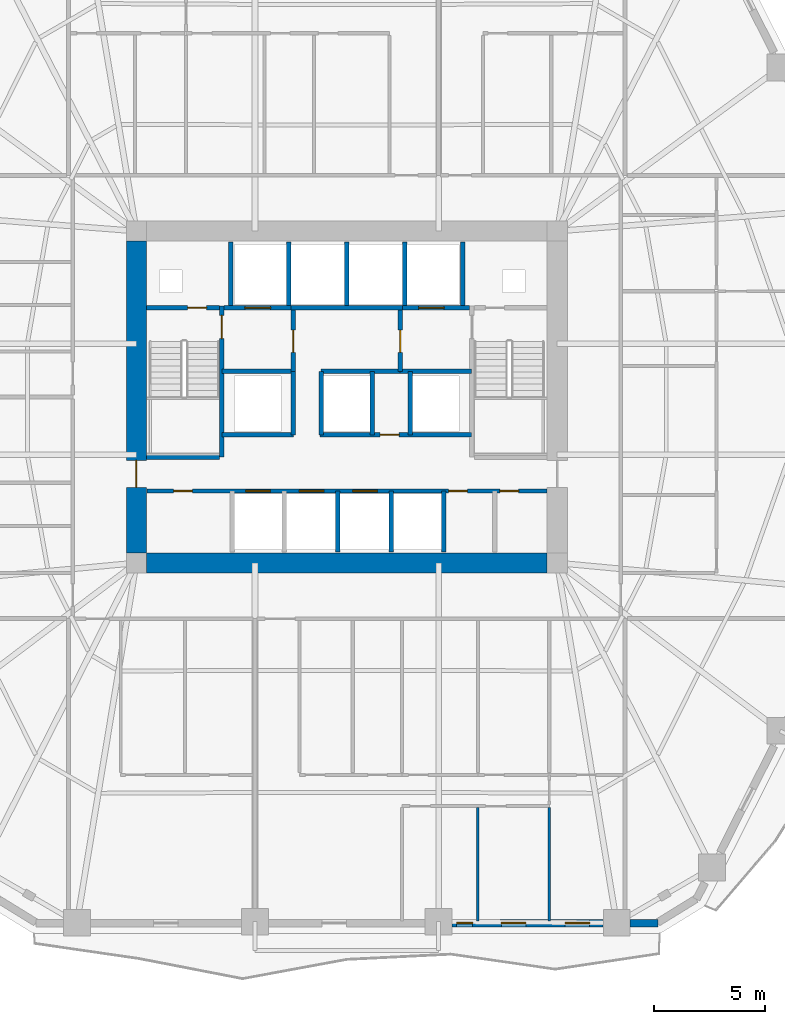
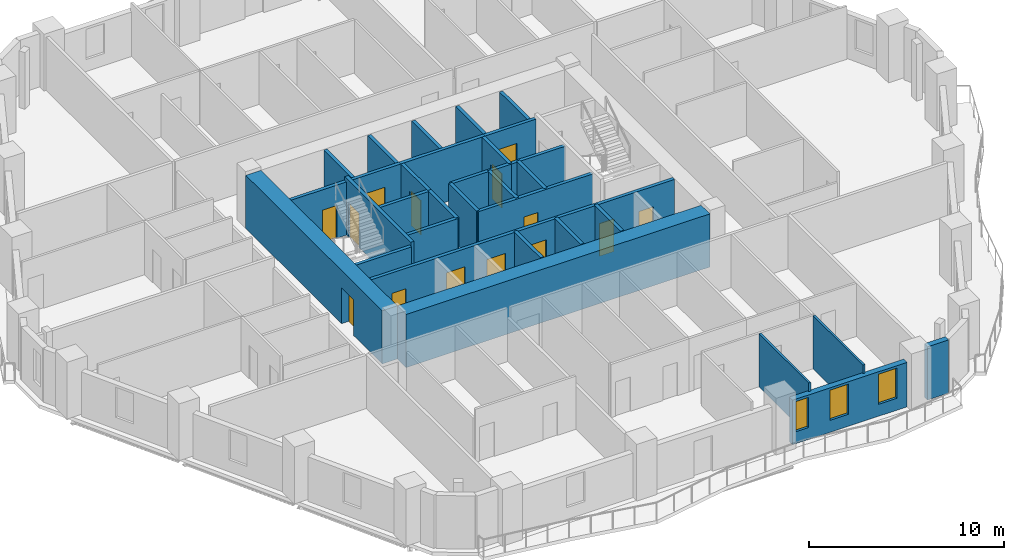
# One storey, part 5 of 12: 32 walls, 14 doors, 3 windows, 17 openings.
"""IFC4 building model written with IfcOpenShell, lengths in metres."""

from ifc_helpers import new_model, si_unit, direction, frame, frame_2d, origin, place, context, subcontext, project, spatial, rectangle, extrude, material, layer, layer_set, type_object, element, fill, save


model = new_model("IFC4")

# Units and contexts
model_context = context("Model", 3, precision=1e-05, world=origin(), true_north=direction((0.0, 1.0)))
body_context = subcontext(model_context, "Body", "Model", "MODEL_VIEW")
ifc_project = project(units=[si_unit("LENGTHUNIT", "METRE"), si_unit("AREAUNIT", "SQUARE_METRE"), si_unit("VOLUMEUNIT", "CUBIC_METRE"), si_unit("PLANEANGLEUNIT", "RADIAN"), si_unit("MASSUNIT", "GRAM", prefix="KILO")], contexts=[model_context])

# Site, building, storey
site_placement = place(None, origin())
site = spatial("IfcSite", under=ifc_project, at=site_placement, CompositionType="ELEMENT")
building_placement = place(site_placement, origin())
building = spatial("IfcBuilding", under=site, at=building_placement, Name="Cinnabar Lancet Tower", CompositionType="ELEMENT")
storey_placement = place(building_placement, frame((0.0, 0.0, 28.449951171875)))
storey = spatial("IfcBuildingStorey", under=building, at=storey_placement, Name="L06", CompositionType="ELEMENT", Elevation=28.449951171875)

# Wall
ifc_material_1 = material(Name="Autoclaved aerated concrete blockwork", Category="masonry")
ifc_layer_1 = layer(ifc_material_1, 0.199951171875)
ifc_layer_set_1 = layer_set([ifc_layer_1], Name="Autoclaved aerated concrete blockwork")
wall_type_1 = type_object("IfcWallType", Name="ARC-WL-SHAFT-200", PredefinedType="PLUMBINGWALL", material=ifc_layer_set_1)
wall_1_placement = place(storey_placement, frame((23.405029296875, 23.199951171875, 0.0), z_axis=(0.0, 0.0, 1.0), x_axis=(1.0, 0.0, 0.0)))
element("IfcWall", 1, at=wall_1_placement, inside=storey, type_object=wall_type_1, Name="CW-ST1S-L06", PredefinedType="PLUMBINGWALL", context=body_context, shape_type="SweptSolid", body=[
    extrude(rectangle(XDim=3.27001953125, YDim=0.199951171875, at=frame_2d((1.635009765625, 0.0))), origin(), (0.0, 0.0, 1.0), 3.330078125),
])

# Wall, opening, door
wall_2_placement = place(storey_placement, frame((23.405029296875, 29.89990234375, 0.0), z_axis=(0.0, 0.0, 1.0), x_axis=(1.0, 0.0, 0.0)))
wall_2 = element("IfcWall", 2, at=wall_2_placement, inside=storey, type_object=wall_type_1, Name="CW-NSH-W-L06", PredefinedType="PLUMBINGWALL", context=body_context, shape_type="SweptSolid", body=[
    extrude(rectangle(XDim=3.27001953125, YDim=0.199951171875, at=frame_2d((1.635009765625, 0.0))), origin(), (0.0, 0.0, 1.0), 3.330078125),
])
opening_1_placement = place(wall_2_placement, frame((1.85009765625, 0.0, 0.0)))
opening_1 = element("IfcOpeningElement", 3, at=opening_1_placement, cuts=wall_2, Name="Opening PD-02", PredefinedType="OPENING", context=body_context, shape_type="SweptSolid", body=[
    extrude(rectangle(XDim=0.85009765625, YDim=2.050048828125, at=frame_2d((0.425048828125, 1.02490234375))), frame((0.0, 0.10986328125, 0.0), z_axis=(0.0, -1.0, 0.0), x_axis=(1.0, 0.0, 0.0)), (0.0, 0.0, 1.0), 0.219970703125),
])
ifc_material_2 = material(Name="Fire-rated steel riser access door", Category="steel")
door_type_1 = type_object("IfcDoorType", Name="ARC-DR-RISER", OperationType="NOTDEFINED", PredefinedType="DOOR", material=ifc_material_2)
door_1_placement = place(opening_1_placement, origin())
door_1 = element("IfcDoor", 4, at=door_1_placement, inside=storey, type_object=door_type_1, Name="L06 West Riser Access Door", OperationType="SINGLE_SWING_LEFT", OverallHeight=2.050048828125, OverallWidth=0.85009765625, PredefinedType="DOOR", context=body_context, shape_type="SweptSolid", body=[
    extrude(rectangle(XDim=0.85009765625, YDim=2.050048828125, at=frame_2d((0.425048828125, 1.02490234375))), frame((0.0, 0.02490234375, 0.0), z_axis=(0.0, -1.0, 0.0), x_axis=(1.0, 0.0, 0.0)), (0.0, 0.0, 1.0), 0.050048828125),
])
fill(opening_1, door_1)

wall_3_placement = place(storey_placement, frame((26.885009765625, 29.89990234375, 0.0), z_axis=(0.0, 0.0, 1.0), x_axis=(1.0, 0.0, 0.0)))
wall_3 = element("IfcWall", 5, at=wall_3_placement, inside=storey, type_object=wall_type_1, Name="CW-FL1-L06", PredefinedType="PLUMBINGWALL", context=body_context, shape_type="SweptSolid", body=[
    extrude(rectangle(XDim=3.014892578125, YDim=0.199951171875, at=frame_2d((1.50732421875, 0.0))), origin(), (0.0, 0.0, 1.0), 3.330078125),
])
opening_2_placement = place(wall_3_placement, frame((0.93994140625, 0.0, 0.0)))
opening_2 = element("IfcOpeningElement", 6, at=opening_2_placement, cuts=wall_3, Name="Opening LD-02", PredefinedType="OPENING", context=body_context, shape_type="SweptSolid", body=[
    extrude(rectangle(XDim=1.14990234375, YDim=2.199951171875, at=frame_2d((0.574951171875, 1.10009765625))), frame((0.0, 0.10986328125, 0.0), z_axis=(0.0, -1.0, 0.0), x_axis=(1.0, 0.0, 0.0)), (0.0, 0.0, 1.0), 0.219970703125),
])
ifc_material_3 = material(Name="Fire-rated stainless steel firefighting lift landing door", Category="steel")
door_type_2 = type_object("IfcDoorType", Name="ARC-DR-LD-FIRE", OperationType="NOTDEFINED", PredefinedType="DOOR", material=ifc_material_3)
door_2_placement = place(opening_2_placement, origin())
door_2 = element("IfcDoor", 7, at=door_2_placement, inside=storey, type_object=door_type_2, Name="L06 Firefighting Lift FL-1 Landing Door", OperationType="DOUBLE_DOOR_SLIDING", OverallHeight=2.199951171875, OverallWidth=1.14990234375, PredefinedType="DOOR", context=body_context, shape_type="SweptSolid", body=[
    extrude(rectangle(XDim=1.14990234375, YDim=2.199951171875, at=frame_2d((0.574951171875, 1.10009765625))), frame((0.0, 0.02490234375, 0.0), z_axis=(0.0, -1.0, 0.0), x_axis=(1.0, 0.0, 0.0)), (0.0, 0.0, 1.0), 0.050048828125),
])
fill(opening_2, door_2)

# Wall
wall_4_placement = place(storey_placement, frame((29.89990234375, 29.89990234375, 0.0), z_axis=(0.0, 0.0, 1.0), x_axis=(1.0, 0.0, 0.0)))
element("IfcWall", 8, at=wall_4_placement, inside=storey, type_object=wall_type_1, Name="CW-PL78-L06", PredefinedType="PLUMBINGWALL", context=body_context, shape_type="SweptSolid", body=[
    extrude(rectangle(XDim=5.0, YDim=0.199951171875, at=frame_2d((2.5, 0.0))), origin(), (0.0, 0.0, 1.0), 3.330078125),
])

# Wall, opening, door
wall_5_placement = place(storey_placement, frame((34.89990234375, 29.89990234375, 0.0), z_axis=(0.0, 0.0, 1.0), x_axis=(1.0, 0.0, 0.0)))
wall_5 = element("IfcWall", 9, at=wall_5_placement, inside=storey, type_object=wall_type_1, Name="CW-FL2-L06", PredefinedType="PLUMBINGWALL", context=body_context, shape_type="SweptSolid", body=[
    extrude(rectangle(XDim=3.01513671875, YDim=0.199951171875, at=frame_2d((1.507568359375, 0.0))), origin(), (0.0, 0.0, 1.0), 3.330078125),
])
opening_3_placement = place(wall_5_placement, frame((0.72509765625, 0.0, 0.0)))
opening_3 = element("IfcOpeningElement", 10, at=opening_3_placement, cuts=wall_5, Name="Opening LD-02", PredefinedType="OPENING", context=body_context, shape_type="SweptSolid", body=[
    extrude(rectangle(XDim=1.14990234375, YDim=2.199951171875, at=frame_2d((0.574951171875, 1.10009765625))), frame((0.0, 0.10986328125, 0.0), z_axis=(0.0, -1.0, 0.0), x_axis=(1.0, 0.0, 0.0)), (0.0, 0.0, 1.0), 0.219970703125),
])
door_3_placement = place(opening_3_placement, origin())
door_3 = element("IfcDoor", 11, at=door_3_placement, inside=storey, type_object=door_type_2, Name="L06 Firefighting Lift FL-2 Landing Door", OperationType="DOUBLE_DOOR_SLIDING", OverallHeight=2.199951171875, OverallWidth=1.14990234375, PredefinedType="DOOR", context=body_context, shape_type="SweptSolid", body=[
    extrude(rectangle(XDim=1.14990234375, YDim=2.199951171875, at=frame_2d((0.574951171875, 1.10009765625))), frame((0.0, 0.02490234375, 0.0), z_axis=(0.0, -1.0, 0.0), x_axis=(1.0, 0.0, 0.0)), (0.0, 0.0, 1.0), 0.050048828125),
])
fill(opening_3, door_3)

# Walls
for number, where, z_axis, x_axis, name in (
    (12, (27.199951171875, 30.0, 0.0), (0.0, 0.0, 1.0), (0.0, 1.0, 0.0), "CW-NSH-D1-L06"),
    (13, (29.800048828125, 30.0, 0.0), (0.0, 0.0, 1.0), (0.0, 1.0, 0.0), "CW-NSH-D2-L06"),
    (14, (32.39990234375, 30.0, 0.0), (0.0, 0.0, 1.0), (0.0, 1.0, 0.0), "CW-NSH-D3-L06"),
    (15, (35.0, 30.0, 0.0), (0.0, 0.0, 1.0), (0.0, 1.0, 0.0), "CW-NSH-D4-L06"),
    (16, (37.60009765625, 30.0, 0.0), (0.0, 0.0, 1.0), (0.0, 1.0, 0.0), "CW-NSH-D5-L06"),
):
    element("IfcWall", number, at=place(storey_placement, frame(where, z_axis=z_axis, x_axis=x_axis)), inside=storey, type_object=wall_type_1, Name=name, PredefinedType="PLUMBINGWALL", context=body_context, shape_type="SweptSolid", body=[
        extrude(rectangle(XDim=2.85009765625, YDim=0.199951171875, at=frame_2d((1.425048828125, 0.0))), origin(), (0.0, 0.0, 1.0), 3.330078125),
    ])

# Wall, opening, door
wall_6_placement = place(storey_placement, frame((30.0, 27.050048828125, 0.0), z_axis=(0.0, 0.0, 1.0), x_axis=(0.0, 1.0, 0.0)))
wall_6 = element("IfcWall", 17, at=wall_6_placement, inside=storey, type_object=wall_type_1, Name="CW-FF1E-L06", PredefinedType="PLUMBINGWALL", context=body_context, shape_type="SweptSolid", body=[
    extrude(rectangle(XDim=2.75, YDim=0.199951171875, at=frame_2d((1.375, 0.0))), origin(), (0.0, 0.0, 1.0), 3.330078125),
])
opening_4_placement = place(wall_6_placement, frame((0.85009765625, 0.0, 0.0)))
opening_4 = element("IfcOpeningElement", 18, at=opening_4_placement, cuts=wall_6, Name="Opening FD-01", PredefinedType="OPENING", context=body_context, shape_type="SweptSolid", body=[
    extrude(rectangle(XDim=1.0, YDim=2.14990234375, at=frame_2d((0.5, 1.074951171875))), frame((0.0, 0.10986328125, 0.0), z_axis=(0.0, -1.0, 0.0), x_axis=(1.0, 0.0, 0.0)), (0.0, 0.0, 1.0), 0.219970703125),
])
ifc_material_4 = material(Name="Fire-rated timber-core lobby door", Category="wood")
door_type_3 = type_object("IfcDoorType", Name="ARC-DR-FFAL", OperationType="NOTDEFINED", PredefinedType="DOOR", material=ifc_material_4)
door_4_placement = place(opening_4_placement, origin())
door_4 = element("IfcDoor", 19, at=door_4_placement, inside=storey, type_object=door_type_3, Name="L06 FFAL-1 Lobby Fire Door", OperationType="SINGLE_SWING_RIGHT", OverallHeight=2.14990234375, OverallWidth=1.0, PredefinedType="DOOR", context=body_context, shape_type="SweptSolid", body=[
    extrude(rectangle(XDim=1.0, YDim=2.14990234375, at=frame_2d((0.5, 1.074951171875))), frame((0.0, 0.02490234375, 0.0), z_axis=(0.0, -1.0, 0.0), x_axis=(1.0, 0.0, 0.0)), (0.0, 0.0, 1.0), 0.050048828125),
])
fill(opening_4, door_4)

# Wall
wall_7_placement = place(storey_placement, frame((26.800048828125, 27.050048828125, 0.0), z_axis=(0.0, 0.0, 1.0), x_axis=(1.0, 0.0, 0.0)))
element("IfcWall", 20, at=wall_7_placement, inside=storey, type_object=wall_type_1, Name="CW-FF1S-L06", PredefinedType="PLUMBINGWALL", context=body_context, shape_type="SweptSolid", body=[
    extrude(rectangle(XDim=3.199951171875, YDim=0.199951171875, at=frame_2d((1.60009765625, 0.0))), origin(), (0.0, 0.0, 1.0), 3.330078125),
])

# Wall, opening, door
wall_8_placement = place(storey_placement, frame((34.800048828125, 27.050048828125, 0.0), z_axis=(0.0, 0.0, 1.0), x_axis=(0.0, 1.0, 0.0)))
wall_8 = element("IfcWall", 21, at=wall_8_placement, inside=storey, type_object=wall_type_1, Name="CW-FF2W-L06", PredefinedType="PLUMBINGWALL", context=body_context, shape_type="SweptSolid", body=[
    extrude(rectangle(XDim=2.75, YDim=0.199951171875, at=frame_2d((1.375, 0.0))), origin(), (0.0, 0.0, 1.0), 3.330078125),
])
opening_5_placement = place(wall_8_placement, frame((0.85009765625, 0.0, 0.0)))
opening_5 = element("IfcOpeningElement", 22, at=opening_5_placement, cuts=wall_8, Name="Opening FD-01", PredefinedType="OPENING", context=body_context, shape_type="SweptSolid", body=[
    extrude(rectangle(XDim=1.0, YDim=2.14990234375, at=frame_2d((0.5, 1.074951171875))), frame((0.0, 0.10986328125, 0.0), z_axis=(0.0, -1.0, 0.0), x_axis=(1.0, 0.0, 0.0)), (0.0, 0.0, 1.0), 0.219970703125),
])
door_5_placement = place(opening_5_placement, origin())
door_5 = element("IfcDoor", 23, at=door_5_placement, inside=storey, type_object=door_type_3, Name="L06 FFAL-2 Lobby Fire Door", OperationType="SINGLE_SWING_LEFT", OverallHeight=2.14990234375, OverallWidth=1.0, PredefinedType="DOOR", context=body_context, shape_type="SweptSolid", body=[
    extrude(rectangle(XDim=1.0, YDim=2.14990234375, at=frame_2d((0.5, 1.074951171875))), frame((0.0, 0.02490234375, 0.0), z_axis=(0.0, -1.0, 0.0), x_axis=(1.0, 0.0, 0.0)), (0.0, 0.0, 1.0), 0.050048828125),
])
fill(opening_5, door_5)

# Walls
for number, where, z_axis, x_axis, name in (
    (24, (34.800048828125, 27.050048828125, 0.0), (0.0, 0.0, 1.0), (1.0, 0.0, 0.0), "CW-FF2S-L06"),
    (25, (26.800048828125, 24.199951171875, 0.0), (0.0, 0.0, 1.0), (1.0, 0.0, 0.0), "CW-PL5S-L06"),
):
    element("IfcWall", number, at=place(storey_placement, frame(where, z_axis=z_axis, x_axis=x_axis)), inside=storey, type_object=wall_type_1, Name=name, PredefinedType="PLUMBINGWALL", context=body_context, shape_type="SweptSolid", body=[
        extrude(rectangle(XDim=3.199951171875, YDim=0.199951171875, at=frame_2d((1.60009765625, 0.0))), origin(), (0.0, 0.0, 1.0), 3.330078125),
    ])
wall_9_placement = place(storey_placement, frame((30.0, 24.199951171875, 0.0), z_axis=(0.0, 0.0, 1.0), x_axis=(0.0, 1.0, 0.0)))
element("IfcWall", 26, at=wall_9_placement, inside=storey, type_object=wall_type_1, Name="CW-PL5E-L06", PredefinedType="PLUMBINGWALL", context=body_context, shape_type="SweptSolid", body=[
    extrude(rectangle(XDim=2.85009765625, YDim=0.199951171875, at=frame_2d((1.425048828125, 0.0))), origin(), (0.0, 0.0, 1.0), 3.330078125),
])

# Wall, opening, door
wall_10_placement = place(storey_placement, frame((31.199951171875, 24.199951171875, 0.0), z_axis=(0.0, 0.0, 1.0), x_axis=(1.0, 0.0, 0.0)))
wall_10 = element("IfcWall", 27, at=wall_10_placement, inside=storey, type_object=wall_type_1, Name="CW-PL96S-L06", PredefinedType="PLUMBINGWALL", context=body_context, shape_type="SweptSolid", body=[
    extrude(rectangle(XDim=6.800048828125, YDim=0.199951171875, at=frame_2d((3.39990234375, 0.0))), origin(), (0.0, 0.0, 1.0), 3.330078125),
])
opening_6_placement = place(wall_10_placement, frame((2.699951171875, 0.0, 0.0)))
opening_6 = element("IfcOpeningElement", 28, at=opening_6_placement, cuts=wall_10, Name="Opening PD-02", PredefinedType="OPENING", context=body_context, shape_type="SweptSolid", body=[
    extrude(rectangle(XDim=0.85009765625, YDim=2.050048828125, at=frame_2d((0.425048828125, 1.02490234375))), frame((0.0, 0.10986328125, 0.0), z_axis=(0.0, -1.0, 0.0), x_axis=(1.0, 0.0, 0.0)), (0.0, 0.0, 1.0), 0.219970703125),
])
door_6_placement = place(opening_6_placement, origin())
door_6 = element("IfcDoor", 29, at=door_6_placement, inside=storey, type_object=door_type_1, Name="L06 BMS Closet Door", OperationType="SINGLE_SWING_LEFT", OverallHeight=2.050048828125, OverallWidth=0.85009765625, PredefinedType="DOOR", context=body_context, shape_type="SweptSolid", body=[
    extrude(rectangle(XDim=0.85009765625, YDim=2.050048828125, at=frame_2d((0.425048828125, 1.02490234375))), frame((0.0, 0.02490234375, 0.0), z_axis=(0.0, -1.0, 0.0), x_axis=(1.0, 0.0, 0.0)), (0.0, 0.0, 1.0), 0.050048828125),
])
fill(opening_6, door_6)

# Walls
for number, where, z_axis, x_axis, name in (
    (30, (31.25, 24.199951171875, 0.0), (0.0, 0.0, 1.0), (0.0, 1.0, 0.0), "CW-PL9W-L06"),
    (31, (33.550048828125, 24.199951171875, 0.0), (0.0, 0.0, 1.0), (0.0, 1.0, 0.0), "CW-PL9E-L06"),
    (32, (35.25, 24.199951171875, 0.0), (0.0, 0.0, 1.0), (0.0, 1.0, 0.0), "CW-PL6W-L06"),
):
    element("IfcWall", number, at=place(storey_placement, frame(where, z_axis=z_axis, x_axis=x_axis)), inside=storey, type_object=wall_type_1, Name=name, PredefinedType="PLUMBINGWALL", context=body_context, shape_type="SweptSolid", body=[
        extrude(rectangle(XDim=2.85009765625, YDim=0.199951171875, at=frame_2d((1.425048828125, 0.0))), origin(), (0.0, 0.0, 1.0), 3.330078125),
    ])
wall_11_placement = place(storey_placement, frame((31.25, 27.050048828125, 0.0), z_axis=(0.0, 0.0, 1.0), x_axis=(1.0, 0.0, 0.0)))
element("IfcWall", 33, at=wall_11_placement, inside=storey, type_object=wall_type_1, Name="CW-PL96N-L06", PredefinedType="PLUMBINGWALL", context=body_context, shape_type="SweptSolid", body=[
    extrude(rectangle(XDim=3.550048828125, YDim=0.199951171875, at=frame_2d((1.77490234375, 0.0))), origin(), (0.0, 0.0, 1.0), 3.330078125),
])

# Wall, openings, doors
wall_12_placement = place(storey_placement, frame((23.419921875, 21.679931640625, 0.0), z_axis=(0.0, 0.0, 1.0), x_axis=(1.0, 0.0, 0.0)))
wall_12 = element("IfcWall", 34, at=wall_12_placement, inside=storey, type_object=wall_type_1, Name="CW-SBANDN-L06", PredefinedType="PLUMBINGWALL", context=body_context, shape_type="SweptSolid", body=[
    extrude(rectangle(XDim=17.9599609375, YDim=0.199951171875, at=frame_2d((8.97998046875, 0.0))), origin(), (0.0, 0.0, 1.0), 3.330078125),
])
opening_7_placement = place(wall_12_placement, frame((4.449951171875, 0.0, 0.0)))
opening_7 = element("IfcOpeningElement", 35, at=opening_7_placement, cuts=wall_12, Name="Opening LD-01", PredefinedType="OPENING", context=body_context, shape_type="SweptSolid", body=[
    extrude(rectangle(XDim=1.10009765625, YDim=2.199951171875, at=frame_2d((0.550048828125, 1.10009765625))), frame((0.0, 0.10986328125, 0.0), z_axis=(0.0, -1.0, 0.0), x_axis=(1.0, 0.0, 0.0)), (0.0, 0.0, 1.0), 0.219970703125),
])
opening_8_placement = place(wall_12_placement, frame((6.85009765625, 0.0, 0.0)))
opening_8 = element("IfcOpeningElement", 36, at=opening_8_placement, cuts=wall_12, Name="Opening LD-01", PredefinedType="OPENING", context=body_context, shape_type="SweptSolid", body=[
    extrude(rectangle(XDim=1.10009765625, YDim=2.199951171875, at=frame_2d((0.550048828125, 1.10009765625))), frame((0.0, 0.10986328125, 0.0), z_axis=(0.0, -1.0, 0.0), x_axis=(1.0, 0.0, 0.0)), (0.0, 0.0, 1.0), 0.219970703125),
])
opening_9_placement = place(wall_12_placement, frame((9.25, 0.0, 0.0)))
opening_9 = element("IfcOpeningElement", 37, at=opening_9_placement, cuts=wall_12, Name="Opening LD-01", PredefinedType="OPENING", context=body_context, shape_type="SweptSolid", body=[
    extrude(rectangle(XDim=1.10009765625, YDim=2.199951171875, at=frame_2d((0.550048828125, 1.10009765625))), frame((0.0, 0.10986328125, 0.0), z_axis=(0.0, -1.0, 0.0), x_axis=(1.0, 0.0, 0.0)), (0.0, 0.0, 1.0), 0.219970703125),
])
opening_10_placement = place(wall_12_placement, frame((1.199951171875, 0.0, 0.0)))
opening_10 = element("IfcOpeningElement", 38, at=opening_10_placement, cuts=wall_12, Name="Opening PD-02", PredefinedType="OPENING", context=body_context, shape_type="SweptSolid", body=[
    extrude(rectangle(XDim=0.85009765625, YDim=2.050048828125, at=frame_2d((0.425048828125, 1.02490234375))), frame((0.0, 0.10986328125, 0.0), z_axis=(0.0, -1.0, 0.0), x_axis=(1.0, 0.0, 0.0)), (0.0, 0.0, 1.0), 0.219970703125),
])
opening_11_placement = place(wall_12_placement, frame((13.550048828125, 0.0, 0.0)))
opening_11 = element("IfcOpeningElement", 39, at=opening_11_placement, cuts=wall_12, Name="Opening PD-02", PredefinedType="OPENING", context=body_context, shape_type="SweptSolid", body=[
    extrude(rectangle(XDim=0.85009765625, YDim=2.050048828125, at=frame_2d((0.425048828125, 1.02490234375))), frame((0.0, 0.10986328125, 0.0), z_axis=(0.0, -1.0, 0.0), x_axis=(1.0, 0.0, 0.0)), (0.0, 0.0, 1.0), 0.219970703125),
])
opening_12_placement = place(wall_12_placement, frame((15.85009765625, 0.0, 0.0)))
opening_12 = element("IfcOpeningElement", 40, at=opening_12_placement, cuts=wall_12, Name="Opening PD-02", PredefinedType="OPENING", context=body_context, shape_type="SweptSolid", body=[
    extrude(rectangle(XDim=0.85009765625, YDim=2.050048828125, at=frame_2d((0.425048828125, 1.02490234375))), frame((0.0, 0.10986328125, 0.0), z_axis=(0.0, -1.0, 0.0), x_axis=(1.0, 0.0, 0.0)), (0.0, 0.0, 1.0), 0.219970703125),
])
ifc_material_5 = material(Name="Brushed stainless steel sliding lift door", Category="steel")
door_type_4 = type_object("IfcDoorType", Name="ARC-DR-LD-PASS", OperationType="NOTDEFINED", PredefinedType="DOOR", material=ifc_material_5)
door_7_placement = place(opening_7_placement, origin())
door_7 = element("IfcDoor", 41, at=door_7_placement, inside=storey, type_object=door_type_4, Name="L06 Lift PL-1 Landing Door", OperationType="DOUBLE_DOOR_SLIDING", OverallHeight=2.199951171875, OverallWidth=1.10009765625, PredefinedType="DOOR", context=body_context, shape_type="SweptSolid", body=[
    extrude(rectangle(XDim=1.10009765625, YDim=2.199951171875, at=frame_2d((0.550048828125, 1.10009765625))), frame((0.0, 0.02490234375, 0.0), z_axis=(0.0, -1.0, 0.0), x_axis=(1.0, 0.0, 0.0)), (0.0, 0.0, 1.0), 0.050048828125),
])
fill(opening_7, door_7)
door_8_placement = place(opening_8_placement, origin())
door_8 = element("IfcDoor", 42, at=door_8_placement, inside=storey, type_object=door_type_4, Name="L06 Lift PL-2 Landing Door", OperationType="DOUBLE_DOOR_SLIDING", OverallHeight=2.199951171875, OverallWidth=1.10009765625, PredefinedType="DOOR", context=body_context, shape_type="SweptSolid", body=[
    extrude(rectangle(XDim=1.10009765625, YDim=2.199951171875, at=frame_2d((0.550048828125, 1.10009765625))), frame((0.0, 0.02490234375, 0.0), z_axis=(0.0, -1.0, 0.0), x_axis=(1.0, 0.0, 0.0)), (0.0, 0.0, 1.0), 0.050048828125),
])
fill(opening_8, door_8)
door_9_placement = place(opening_9_placement, origin())
door_9 = element("IfcDoor", 43, at=door_9_placement, inside=storey, type_object=door_type_4, Name="L06 Lift PL-3 Landing Door", OperationType="DOUBLE_DOOR_SLIDING", OverallHeight=2.199951171875, OverallWidth=1.10009765625, PredefinedType="DOOR", context=body_context, shape_type="SweptSolid", body=[
    extrude(rectangle(XDim=1.10009765625, YDim=2.199951171875, at=frame_2d((0.550048828125, 1.10009765625))), frame((0.0, 0.02490234375, 0.0), z_axis=(0.0, -1.0, 0.0), x_axis=(1.0, 0.0, 0.0)), (0.0, 0.0, 1.0), 0.050048828125),
])
fill(opening_9, door_9)
door_10_placement = place(opening_10_placement, origin())
door_10 = element("IfcDoor", 44, at=door_10_placement, inside=storey, type_object=door_type_1, Name="DR-L06-SW1", OperationType="SINGLE_SWING_LEFT", OverallHeight=2.050048828125, OverallWidth=0.85009765625, PredefinedType="DOOR", context=body_context, shape_type="SweptSolid", body=[
    extrude(rectangle(XDim=0.85009765625, YDim=2.050048828125, at=frame_2d((0.425048828125, 1.02490234375))), frame((0.0, 0.02490234375, 0.0), z_axis=(0.0, -1.0, 0.0), x_axis=(1.0, 0.0, 0.0)), (0.0, 0.0, 1.0), 0.050048828125),
])
fill(opening_10, door_10)
door_11_placement = place(opening_11_placement, origin())
door_11 = element("IfcDoor", 45, at=door_11_placement, inside=storey, type_object=door_type_1, Name="DR-L06-SE1", OperationType="SINGLE_SWING_LEFT", OverallHeight=2.050048828125, OverallWidth=0.85009765625, PredefinedType="DOOR", context=body_context, shape_type="SweptSolid", body=[
    extrude(rectangle(XDim=0.85009765625, YDim=2.050048828125, at=frame_2d((0.425048828125, 1.02490234375))), frame((0.0, 0.02490234375, 0.0), z_axis=(0.0, -1.0, 0.0), x_axis=(1.0, 0.0, 0.0)), (0.0, 0.0, 1.0), 0.050048828125),
])
fill(opening_11, door_11)
door_12_placement = place(opening_12_placement, origin())
door_12 = element("IfcDoor", 46, at=door_12_placement, inside=storey, type_object=door_type_1, Name="DR-L06-SE2", OperationType="SINGLE_SWING_RIGHT", OverallHeight=2.050048828125, OverallWidth=0.85009765625, PredefinedType="DOOR", context=body_context, shape_type="SweptSolid", body=[
    extrude(rectangle(XDim=0.85009765625, YDim=2.050048828125, at=frame_2d((0.425048828125, 1.02490234375))), frame((0.0, 0.02490234375, 0.0), z_axis=(0.0, -1.0, 0.0), x_axis=(1.0, 0.0, 0.0)), (0.0, 0.0, 1.0), 0.050048828125),
])
fill(opening_12, door_12)

# Walls
for number, where, z_axis, x_axis, name in (
    (47, (32.0, 18.949951171875, 0.0), (0.0, 0.0, 1.0), (0.0, 1.0, 0.0), "CW-SB-3200-L06"),
    (48, (34.39990234375, 18.949951171875, 0.0), (0.0, 0.0, 1.0), (0.0, 1.0, 0.0), "CW-SB-3440-L06"),
    (49, (36.75, 18.949951171875, 0.0), (0.0, 0.0, 1.0), (0.0, 1.0, 0.0), "CW-SB-3675-L06"),
):
    element("IfcWall", number, at=place(storey_placement, frame(where, z_axis=z_axis, x_axis=x_axis)), inside=storey, type_object=wall_type_1, Name=name, PredefinedType="PLUMBINGWALL", context=body_context, shape_type="SweptSolid", body=[
        extrude(rectangle(XDim=2.72998046875, YDim=0.199951171875, at=frame_2d((1.364990234375, 0.0))), origin(), (0.0, 0.0, 1.0), 3.330078125),
    ])
ifc_material_6 = material(Name="Gypsum plasterboard stud partition", Category="gypsum")
ifc_layer_2 = layer(ifc_material_6, 0.125)
ifc_layer_set_2 = layer_set([ifc_layer_2], Name="Gypsum plasterboard stud partition")
wall_type_2 = type_object("IfcWallType", Name="ARC-WL-UNIT-125", PredefinedType="PARTITIONING", material=ifc_layer_set_2)
for number, where, z_axis, x_axis, name in (
    (50, (38.284912109375, 2.364990234375, 0.0), (0.0, 0.0, 1.0), (0.0, 1.0, 0.0), "UW-L06-S02-MB2W"),
    (51, (41.492919921875, 2.364990234375, 0.0), (0.0, 0.0, 1.0), (0.0, 1.0, 0.0), "UW-L06-S02-B23W"),
):
    element("IfcWall", number, at=place(storey_placement, frame(where, z_axis=z_axis, x_axis=x_axis)), inside=storey, type_object=wall_type_2, Name=name, PredefinedType="PARTITIONING", context=body_context, shape_type="SweptSolid", body=[
        extrude(rectangle(XDim=5.10302734375, YDim=0.125, at=frame_2d((2.551513671875, 0.0))), origin(), (0.0, 0.0, 1.0), 3.330078125),
    ])

# Wall, openings, windows
ifc_material_7 = material(Name="Cinnabar red clay brick", Category="masonry")
ifc_layer_3 = layer(ifc_material_7, 0.340087890625)
ifc_layer_set_3 = layer_set([ifc_layer_3], Name="Cinnabar red clay brick")
wall_type_3 = type_object("IfcWallType", Name="ENV-WL-BRK-RED-340", PredefinedType="STANDARD", material=ifc_layer_set_3)
wall_13_placement = place(storey_placement, frame((37.1259765625, 2.280029296875, 0.0), z_axis=(0.0, 0.0, 1.0), x_axis=(1.0, 0.0, 0.0)))
wall_13 = element("IfcWall", 52, at=wall_13_placement, inside=storey, type_object=wall_type_3, Name="L06 Face 1 Masonry Bay Wall 4", PredefinedType="STANDARD", context=body_context, shape_type="SweptSolid", body=[
    extrude(rectangle(XDim=6.787109375, YDim=0.340087890625, at=frame_2d((3.3935546875, 0.0))), origin(), (0.0, 0.0, 1.0), 2.787109375),
])
opening_13_placement = place(wall_13_placement, frame((2.212890625, 0.0, 0.75)))
opening_13 = element("IfcOpeningElement", 53, at=opening_13_placement, cuts=wall_13, Name="Opening WN-04", PredefinedType="OPENING", context=body_context, shape_type="SweptSolid", body=[
    extrude(rectangle(XDim=1.10009765625, YDim=1.886962890625, at=frame_2d((0.550048828125, 0.943359375))), frame((0.0, 0.179931640625, 0.0), z_axis=(0.0, -1.0, 0.0), x_axis=(1.0, 0.0, 0.0)), (0.0, 0.0, 1.0), 0.360107421875),
])
opening_14_placement = place(wall_13_placement, frame((5.0830078125, 0.0, 0.75)))
opening_14 = element("IfcOpeningElement", 54, at=opening_14_placement, cuts=wall_13, Name="Opening WN-04", PredefinedType="OPENING", context=body_context, shape_type="SweptSolid", body=[
    extrude(rectangle(XDim=1.10009765625, YDim=1.886962890625, at=frame_2d((0.550048828125, 0.943359375))), frame((0.0, 0.179931640625, 0.0), z_axis=(0.0, -1.0, 0.0), x_axis=(1.0, 0.0, 0.0)), (0.0, 0.0, 1.0), 0.360107421875),
])
opening_15_placement = place(wall_13_placement, frame((0.2099609375, 0.0, 0.75)))
opening_15 = element("IfcOpeningElement", 55, at=opening_15_placement, cuts=wall_13, Name="Opening WN-04", PredefinedType="OPENING", context=body_context, shape_type="SweptSolid", body=[
    extrude(rectangle(XDim=0.716064453125, YDim=1.886962890625, at=frame_2d((0.35791015625, 0.943359375))), frame((0.0, 0.179931640625, 0.0), z_axis=(0.0, -1.0, 0.0), x_axis=(1.0, 0.0, 0.0)), (0.0, 0.0, 1.0), 0.360107421875),
])
ifc_material_8 = material(Name="Thermally broken bronze-anodized aluminium tall lancet window", Category="aluminium")
window_type = type_object("IfcWindowType", Name="ENV-WN-LANCET-1100", PartitioningType="SINGLE_PANEL", PredefinedType="WINDOW", material=ifc_material_8)
window_1_placement = place(opening_13_placement, origin())
window_1 = element("IfcWindow", 56, at=window_1_placement, inside=storey, type_object=window_type, Name="L06 Face 1 Gothic Lancet Window 4", OverallHeight=1.886962890625, OverallWidth=1.10009765625, PartitioningType="SINGLE_PANEL", PredefinedType="WINDOW", context=body_context, shape_type="SweptSolid", body=[
    extrude(rectangle(XDim=1.10009765625, YDim=1.886962890625, at=frame_2d((0.550048828125, 0.943359375))), frame((0.0, 0.030029296875, 0.0), z_axis=(0.0, -1.0, 0.0), x_axis=(1.0, 0.0, 0.0)), (0.0, 0.0, 1.0), 0.06005859375),
])
fill(opening_13, window_1)
window_2_placement = place(opening_14_placement, origin())
window_2 = element("IfcWindow", 57, at=window_2_placement, inside=storey, type_object=window_type, Name="L06 Split-Bay Gothic Lancet Window 4", OverallHeight=1.886962890625, OverallWidth=1.10009765625, PartitioningType="SINGLE_PANEL", PredefinedType="WINDOW", context=body_context, shape_type="SweptSolid", body=[
    extrude(rectangle(XDim=1.10009765625, YDim=1.886962890625, at=frame_2d((0.550048828125, 0.943359375))), frame((0.0, 0.030029296875, 0.0), z_axis=(0.0, -1.0, 0.0), x_axis=(1.0, 0.0, 0.0)), (0.0, 0.0, 1.0), 0.06005859375),
])
fill(opening_14, window_2)
window_3_placement = place(opening_15_placement, origin())
window_3 = element("IfcWindow", 58, at=window_3_placement, inside=storey, type_object=window_type, Name="L06 Dwelling Gothic Lancet Window 296", OverallHeight=1.886962890625, OverallWidth=0.716064453125, PartitioningType="SINGLE_PANEL", PredefinedType="WINDOW", context=body_context, shape_type="SweptSolid", body=[
    extrude(rectangle(XDim=0.716064453125, YDim=1.886962890625, at=frame_2d((0.35791015625, 0.943359375))), frame((0.0, 0.030029296875, 0.0), z_axis=(0.0, -1.0, 0.0), x_axis=(1.0, 0.0, 0.0)), (0.0, 0.0, 1.0), 0.06005859375),
])
fill(opening_15, window_3)

# Walls
wall_14_placement = place(storey_placement, frame((45.12109375, 2.280029296875, 0.0), z_axis=(0.0, 0.0, 1.0), x_axis=(1.0, 0.0, 0.0)))
element("IfcWall", 59, at=wall_14_placement, inside=storey, type_object=wall_type_3, Name="L06 Face 1 Masonry Bay Wall 5", PredefinedType="STANDARD", context=body_context, shape_type="SweptSolid", body=[
    extrude(rectangle(XDim=1.244873046875, YDim=0.340087890625, at=frame_2d((0.62255859375, 0.0))), origin(), (0.0, 0.0, 1.0), 3.330078125),
])
ifc_material_9 = material(Name="Concrete C80/95", Category="concrete")
ifc_layer_4 = layer(ifc_material_9, 0.89990234375)
ifc_layer_set_4 = layer_set([ifc_layer_4], Name="Concrete C80/95")
wall_type_4 = type_object("IfcWallType", Name="STR-WL-CORE-900", PredefinedType="SHEAR", material=ifc_layer_set_4)
wall_15_placement = place(storey_placement, frame((23.39990234375, 18.449951171875, 0.0), z_axis=(0.0, 0.0, 1.0), x_axis=(1.0, 0.0, 0.0)))
element("IfcWall", 60, at=wall_15_placement, inside=storey, type_object=wall_type_4, Name="L06 Core Shear Wall S", PredefinedType="SHEAR", context=body_context, shape_type="SweptSolid", body=[
    extrude(rectangle(XDim=18.0, YDim=0.89990234375, at=frame_2d((9.0, 0.0))), origin(), (0.0, 0.0, 1.0), 3.330078125),
])

# Wall, opening, door
wall_16_placement = place(storey_placement, frame((22.949951171875, 18.89990234375, 0.0), z_axis=(0.0, 0.0, 1.0), x_axis=(0.0, 1.0, 0.0)))
wall_16 = element("IfcWall", 61, at=wall_16_placement, inside=storey, type_object=wall_type_4, Name="L06 Core Shear Wall W", PredefinedType="SHEAR", context=body_context, shape_type="SweptSolid", body=[
    extrude(rectangle(XDim=14.0, YDim=0.89990234375, at=frame_2d((7.0, 0.0))), origin(), (0.0, 0.0, 1.0), 3.330078125),
])
opening_16_placement = place(wall_16_placement, frame((2.93994140625, 0.0, 0.0)))
opening_16 = element("IfcOpeningElement", 62, at=opening_16_placement, cuts=wall_16, Name="Opening FD-02", PredefinedType="OPENING", context=body_context, shape_type="SweptSolid", body=[
    extrude(rectangle(XDim=1.219970703125, YDim=2.25, at=frame_2d((0.60986328125, 1.125))), frame((0.0, 0.4599609375, 0.0), z_axis=(0.0, -1.0, 0.0), x_axis=(1.0, 0.0, 0.0)), (0.0, 0.0, 1.0), 0.919921875),
])
ifc_material_10 = material(Name="Fire-rated double-vision core portal door", Category="wood")
door_type_5 = type_object("IfcDoorType", Name="ARC-DR-CPORT", OperationType="NOTDEFINED", PredefinedType="DOOR", material=ifc_material_10)
door_13_placement = place(opening_16_placement, origin())
door_13 = element("IfcDoor", 63, at=door_13_placement, inside=storey, type_object=door_type_5, Name="L06 West Core Lobby Fire Door", OperationType="SINGLE_SWING_RIGHT", OverallHeight=2.25, OverallWidth=1.219970703125, PredefinedType="DOOR", context=body_context, shape_type="SweptSolid", body=[
    extrude(rectangle(XDim=1.219970703125, YDim=2.25, at=frame_2d((0.60986328125, 1.125))), frame((0.0, 0.02490234375, 0.0), z_axis=(0.0, -1.0, 0.0), x_axis=(1.0, 0.0, 0.0)), (0.0, 0.0, 1.0), 0.050048828125),
])
fill(opening_16, door_13)

ifc_material_11 = material(Name="Concrete C50/60", Category="concrete")
ifc_layer_5 = layer(ifc_material_11, 0.199951171875)
ifc_layer_set_5 = layer_set([ifc_layer_5], Name="Concrete C50/60")
wall_type_5 = type_object("IfcWallType", Name="STR-WL-STAIR-200", PredefinedType="SHEAR", material=ifc_layer_set_5)
wall_17_placement = place(storey_placement, frame((26.780029296875, 23.199951171875, 0.0), z_axis=(0.0, 0.0, 1.0), x_axis=(0.0, 1.0, 0.0)))
wall_17 = element("IfcWall", 64, at=wall_17_placement, inside=storey, type_object=wall_type_5, Name="L06 Stair ST-1 Structural Enclosure Wall", PredefinedType="SHEAR", context=body_context, shape_type="SweptSolid", body=[
    extrude(rectangle(XDim=6.780029296875, YDim=0.199951171875, at=frame_2d((3.39013671875, 0.0))), origin(), (0.0, 0.0, 1.0), 3.550048828125),
])
opening_17_placement = place(wall_17_placement, frame((5.320068359375, 0.0, 0.0)))
opening_17 = element("IfcOpeningElement", 65, at=opening_17_placement, cuts=wall_17, Name="Opening SD-01", PredefinedType="OPENING", context=body_context, shape_type="SweptSolid", body=[
    extrude(rectangle(XDim=1.050048828125, YDim=2.14990234375, at=frame_2d((0.52490234375, 1.074951171875))), frame((0.0, 0.10986328125, 0.0), z_axis=(0.0, -1.0, 0.0), x_axis=(1.0, 0.0, 0.0)), (0.0, 0.0, 1.0), 0.219970703125),
])
ifc_material_12 = material(Name="Fire-rated steel stair exit door", Category="steel")
door_type_6 = type_object("IfcDoorType", Name="ARC-DR-STAIR", OperationType="NOTDEFINED", PredefinedType="DOOR", material=ifc_material_12)
door_14_placement = place(opening_17_placement, origin())
door_14 = element("IfcDoor", 66, at=door_14_placement, inside=storey, type_object=door_type_6, Name="L06 Stair ST-1 Fire Door", OperationType="SINGLE_SWING_LEFT", OverallHeight=2.14990234375, OverallWidth=1.050048828125, PredefinedType="DOOR", context=body_context, shape_type="SweptSolid", body=[
    extrude(rectangle(XDim=1.050048828125, YDim=2.14990234375, at=frame_2d((0.52490234375, 1.074951171875))), frame((0.0, 0.02490234375, 0.0), z_axis=(0.0, -1.0, 0.0), x_axis=(1.0, 0.0, 0.0)), (0.0, 0.0, 1.0), 0.050048828125),
])
fill(opening_17, door_14)

save(model, "model.ifc")
